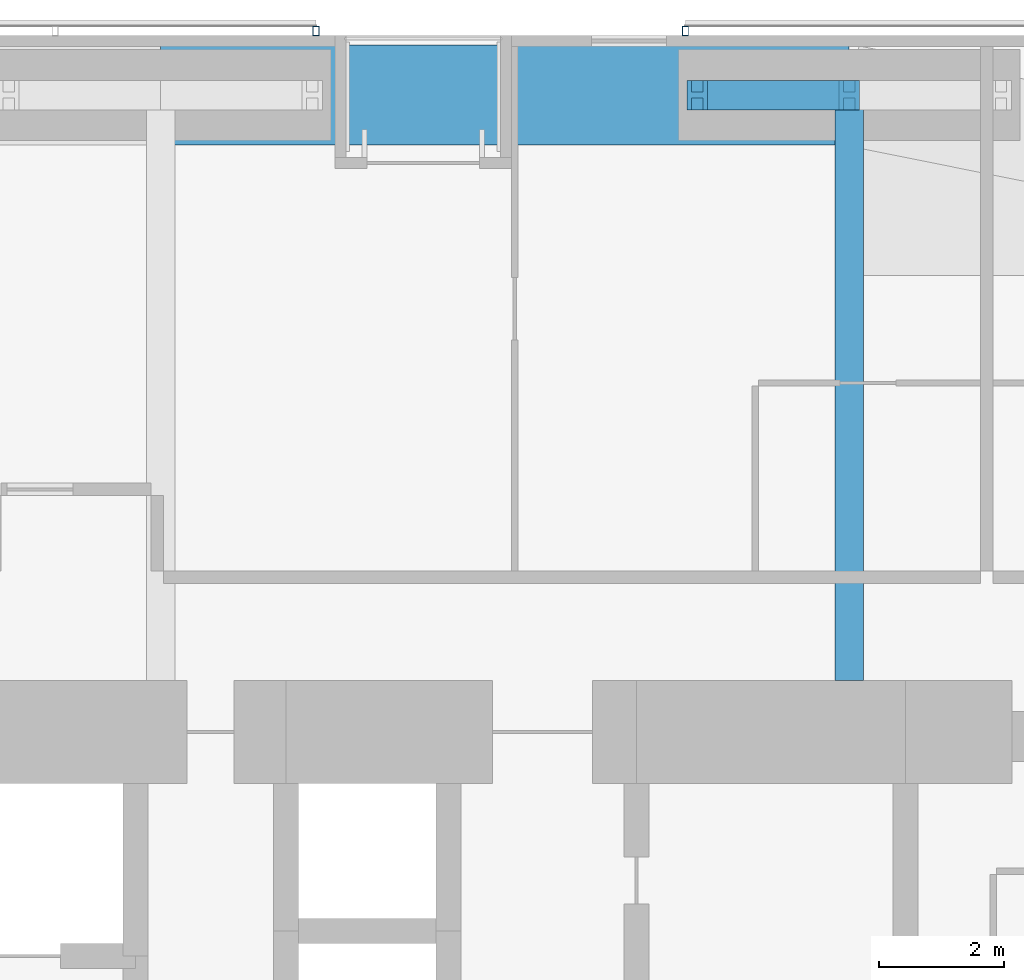
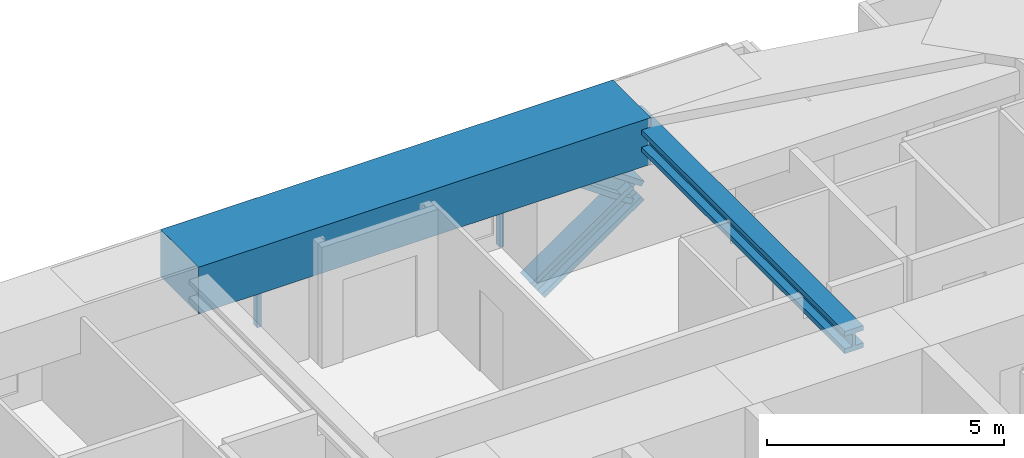
# One storey, part 13 of 23: 4 members, 2 beams, 2 elements without a shape of their own.
"""IFC4 building model written with IfcOpenShell, lengths in metres."""

from ifc_helpers import new_model, si_unit, direction, frame, origin, origin_2d, place, context, subcontext, project, spatial, rectangle, hollow_rectangle, i_section, extrude, material, material_profile, profile_set, type_object, element, aggregate, save


model = new_model("IFC4")

# Units and contexts
model_context = context("Model", 3, precision=1e-05, world=origin(), true_north=direction((0.0, 1.0)))
body_context = subcontext(model_context, "Body", "Model", "MODEL_VIEW")
ifc_project = project(units=[si_unit("LENGTHUNIT", "METRE"), si_unit("AREAUNIT", "SQUARE_METRE"), si_unit("VOLUMEUNIT", "CUBIC_METRE"), si_unit("PLANEANGLEUNIT", "RADIAN"), si_unit("MASSUNIT", "GRAM", prefix="KILO")], contexts=[model_context])

# Site, building, storey
site_placement = place(None, origin())
site = spatial("IfcSite", under=ifc_project, at=site_placement, CompositionType="ELEMENT")
building_placement = place(site_placement, origin())
building = spatial("IfcBuilding", under=site, at=building_placement, Name="Jalousie Tower", CompositionType="ELEMENT")
storey_placement = place(building_placement, frame((0.0, 0.0, 27.699951171875)))
storey = spatial("IfcBuildingStorey", under=building, at=storey_placement, Name="L06", CompositionType="ELEMENT", Elevation=27.699951171875)

# Beam
ifc_material_1 = material(Name="Steel ASTM A992 Grade 50", Category="steel")
ifc_material_profile_1 = material_profile(ifc_material_1, i_section(OverallWidth=0.45458984375, OverallDepth=0.569091796875, WebThickness=0.077880859375, FlangeThickness=0.124755859375, at=origin_2d()), Name="W14X730")
ifc_profile_set_1 = profile_set([ifc_material_profile_1], Name="Steel ASTM A992 Grade 50")
beam_type_1 = type_object("IfcBeamType", Name="LEAN COLLECTOR W14X730", PredefinedType="BEAM", material=ifc_profile_set_1)
beam_1_placement = place(storey_placement, frame((35.0, 37.050048828125, 2.825439453125), z_axis=(0.0, -1.0, 0.0), x_axis=(1.0, 0.0, 0.0)))
element("IfcBeam", 1, at=beam_1_placement, inside=storey, type_object=beam_type_1, Name="Lean collector under L07", PredefinedType="BEAM", context=body_context, shape_type="SweptSolid", body=[
    extrude(i_section(OverallWidth=0.45458984375, OverallDepth=0.569091796875, WebThickness=0.077880859375, FlangeThickness=0.124755859375, at=origin_2d()), origin(), (0.0, 0.0, 1.0), 9.35009765625),
])

# Members
ifc_material_2 = material(Name="Steel ASTM A992 Grade 50", Category="steel")
ifc_material_profile_2 = material_profile(ifc_material_2, i_section(OverallWidth=0.472412109375, OverallDepth=0.5791015625, WebThickness=0.094970703125, FlangeThickness=0.1298828125, at=origin_2d()), Name="W14X808")
ifc_profile_set_2 = profile_set([ifc_material_profile_2], Name="Steel ASTM A992 Grade 50")
member_type_1 = type_object("IfcMemberType", Name="PERIMETER BRACE W14X808", PredefinedType="BRACE", material=ifc_profile_set_2)
for number, where, z_axis, x_axis, name in (
    (2, (32.574951171875, 37.050048828125, -0.599853515625), (0.82283879777, 0.0, 0.568274856811), (0.0, 1.0, 0.0), "Perimeter brace 09 L06 part 1"),
    (3, (35.0, 37.050048828125, 1.074951171875), (-0.822800062329, 0.0, 0.568330940062), (0.0, -1.0, 0.0), "Perimeter brace 09 L06 part 4"),
):
    element("IfcMember", number, at=place(storey_placement, frame(where, z_axis=z_axis, x_axis=x_axis)), inside=storey, type_object=member_type_1, Name=name, PredefinedType="BRACE", context=body_context, shape_type="SweptSolid", body=[
        extrude(i_section(OverallWidth=0.472412109375, OverallDepth=0.5791015625, WebThickness=0.094970703125, FlangeThickness=0.1298828125, at=origin_2d()), origin(), (0.0, 0.0, 1.0), 2.947265625),
    ])

# Beam
ifc_material_3 = material(Name="Concrete f'c 40 MPa", Category="concrete")
ifc_material_profile_3 = material_profile(ifc_material_3, rectangle(XDim=1.60009765625, YDim=1.199951171875, at=origin_2d()), Name="RC 1600x1200")
ifc_profile_set_3 = profile_set([ifc_material_profile_3], Name="Concrete f'c 40 MPa")
beam_type_2 = type_object("IfcBeamType", Name="RC BEAM 1600x1200", PredefinedType="BEAM", material=ifc_profile_set_3)
beam_2_placement = place(storey_placement, frame((35.0, 37.050048828125, 2.75), z_axis=(-1.0, 0.0, 0.0), x_axis=(0.0, -1.0, 0.0)))
element("IfcBeam", 4, at=beam_2_placement, inside=storey, type_object=beam_type_2, Name="Edge band beam 09-10 under L07", PredefinedType="BEAM", context=body_context, shape_type="SweptSolid", body=[
    extrude(rectangle(XDim=1.60009765625, YDim=1.199951171875, at=origin_2d()), origin(), (0.0, 0.0, 1.0), 11.0),
])

# Curtain wall, member
ifc_material_4 = material(Name="Perforated aluminium sheet", Category="aluminium")
curtain_wall_type = type_object("IfcCurtainWallType", Name="SOLAR SCREEN SS-1", PredefinedType="USERDEFINED", material=ifc_material_4)
curtain_wall_1_placement = place(storey_placement, origin())
curtain_wall_1 = element("IfcCurtainWall", 5, at=curtain_wall_1_placement, inside=storey, type_object=curtain_wall_type, Name="Solar screen L06", ObjectType="SOLAR SCREEN SS-1", PredefinedType="USERDEFINED")
ifc_material_5 = material(Name="Steel ASTM A500 Grade C", Category="steel")
ifc_material_profile_4 = material_profile(ifc_material_5, hollow_rectangle(XDim=0.1015625, YDim=0.15234375, WallThickness=0.00634765625, at=origin_2d()), Name="HSS6X4X1/4")
ifc_profile_set_4 = profile_set([ifc_material_profile_4], Name="Steel ASTM A500 Grade C")
member_type_2 = type_object("IfcMemberType", Name="SOLAR SCREEN SS-1 MULLION", PredefinedType="MULLION", material=ifc_profile_set_4)
member_1_placement = place(storey_placement, frame((32.3818359375, 38.0712890625, -0.119873046875), z_axis=(0.0, 0.0, 1.0), x_axis=(-1.0, 0.0, 0.0)))
member_1 = element("IfcMember", 6, at=member_1_placement, type_object=member_type_2, Name="SS1 post 2", PredefinedType="MULLION", context=body_context, shape_type="SweptSolid", body=[
    extrude(hollow_rectangle(XDim=0.1015625, YDim=0.15234375, WallThickness=0.00634765625, at=origin_2d()), origin(), (0.0, 0.0, 1.0), 3.22998046875),
])
aggregate(curtain_wall_1, [member_1])

curtain_wall_2_placement = place(storey_placement, origin())
curtain_wall_2 = element("IfcCurtainWall", 7, at=curtain_wall_2_placement, inside=storey, type_object=curtain_wall_type, Name="Solar screen L06", ObjectType="SOLAR SCREEN SS-1", PredefinedType="USERDEFINED")
member_2_placement = place(storey_placement, frame((26.483154296875, 38.0712890625, -0.119873046875), z_axis=(0.0, 0.0, 1.0), x_axis=(-1.0, 0.0, 0.0)))
member_2 = element("IfcMember", 8, at=member_2_placement, type_object=member_type_2, Name="SS1 post 1", PredefinedType="MULLION", context=body_context, shape_type="SweptSolid", body=[
    extrude(hollow_rectangle(XDim=0.1015625, YDim=0.15234375, WallThickness=0.00634765625, at=origin_2d()), origin(), (0.0, 0.0, 1.0), 3.22998046875),
])
aggregate(curtain_wall_2, [member_2])

save(model, "model.ifc")
